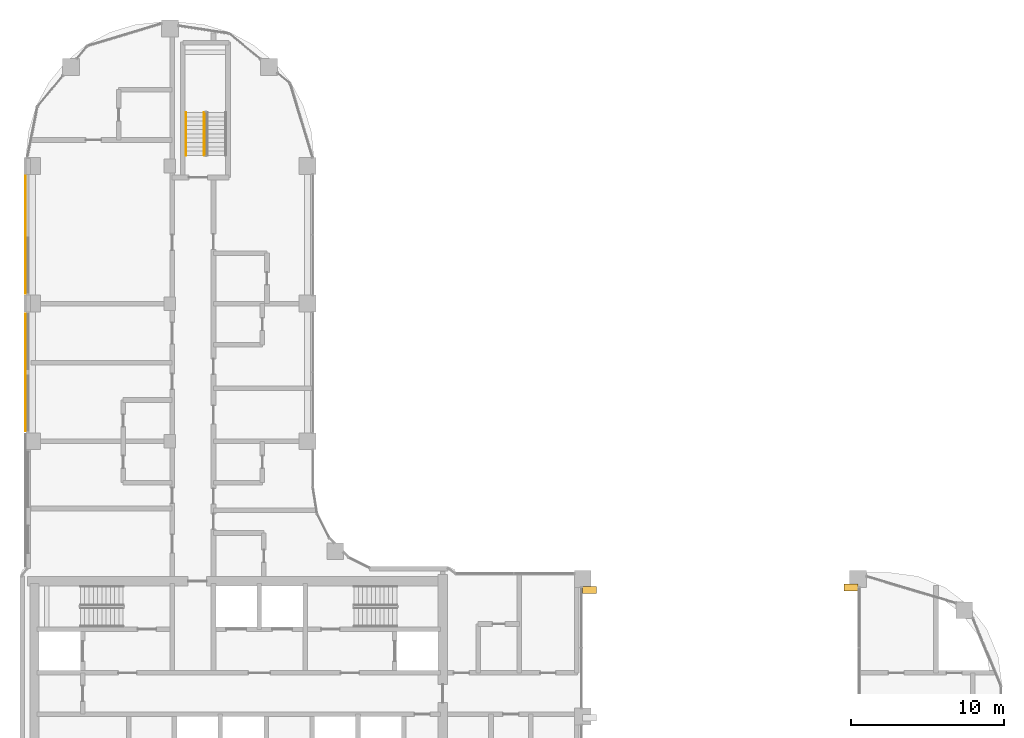
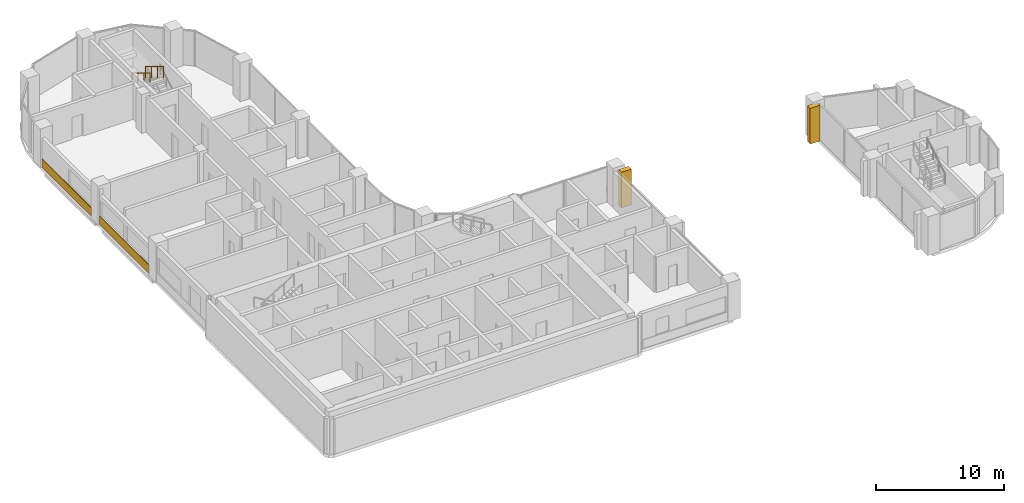
# One storey, part 20 of 21: 4 coverings, 2 railings.
"""IFC4 building model written with IfcOpenShell, lengths in metres."""

import ifcopenshell
import ifcopenshell.guid

model = None  # the IFC model being written
_history = None  # IfcOwnerHistory: only IFC2X3 demands one
_inside = {}  # id of a spatial element -> (the spatial element, [elements in it])
_under = {}  # id of a project, library or spatial element -> (it, [spatial elements below it])
_declared = {}  # id of a project -> (the project, [libraries it declares])
_typed = {}  # id of a type object -> (the type object, [elements of that type])
_made_of = {}  # id of a material, layer set ... -> (it, [elements and type objects made of it])


def new_model(schema):
    """Start an empty IFC model of exactly this schema.

    Asked for "IFC4X3", IfcOpenShell would pick the latest addendum, in which some entities
    have other attributes; the version numbers below select the first issue.
    IFC2X3 requires an IfcOwnerHistory on every rooted entity: one is made here for all.
    """
    global model, _history
    if schema == "IFC4X3":
        model = ifcopenshell.file(schema_version=(4, 3, 0, 0))
    else:
        model = ifcopenshell.file(schema=schema)
    _inside.clear()
    _under.clear()
    _declared.clear()
    _typed.clear()
    _made_of.clear()
    _history = None
    if model.schema == "IFC2X3":
        org = make("IfcOrganization", Name="unknown")
        user = make(
            "IfcPersonAndOrganization",
            ThePerson=make("IfcPerson", FamilyName="unknown"),
            TheOrganization=org,
        )
        app = make(
            "IfcApplication",
            ApplicationDeveloper=org,
            Version="unknown",
            ApplicationFullName="unknown",
            ApplicationIdentifier="unknown",
        )
        _history = make(
            "IfcOwnerHistory",
            OwningUser=user,
            OwningApplication=app,
            ChangeAction="ADDED",
            CreationDate=0,
        )
    return model


def make(cls, **values):
    """One entity of the class cls with the attributes given. An attribute that is None is left unset."""
    return model.create_entity(
        cls, **{name: value for name, value in values.items() if value is not None}
    )


def rooted(cls, **values):
    """An entity with a GlobalId (a new one), such as an element, a storey or a relation."""
    return make(cls, GlobalId=ifcopenshell.guid.new(), OwnerHistory=_history, **values)


def si_unit(unit_type, name, prefix=None):
    """IfcSIUnit, for example si_unit("LENGTHUNIT", "METRE", prefix="MILLI")."""
    return make("IfcSIUnit", UnitType=unit_type, Prefix=prefix, Name=name)


def assignment(units):
    """IfcUnitAssignment: the units of a project."""
    return None if units is None else make("IfcUnitAssignment", Units=units)


def point(xyz):
    """IfcCartesianPoint."""
    return None if xyz is None else make("IfcCartesianPoint", Coordinates=xyz)


def direction(xyz):
    """IfcDirection."""
    return None if xyz is None else make("IfcDirection", DirectionRatios=xyz)


def frame(location, z_axis=None, x_axis=None):
    """IfcAxis2Placement3D, a coordinate frame: its origin and axes. An axis left out is left unset."""
    return make(
        "IfcAxis2Placement3D",
        Location=point(location),
        Axis=direction(z_axis),
        RefDirection=direction(x_axis),
    )


def frame_2d(location, x_axis=None):
    """IfcAxis2Placement2D, a coordinate frame in the plane: its origin and x axis."""
    return make(
        "IfcAxis2Placement2D", Location=point(location), RefDirection=direction(x_axis)
    )


def origin():
    """The frame at (0, 0, 0) with its axes left unset."""
    return frame((0.0, 0.0, 0.0))


def origin_2d():
    """The frame at (0, 0) in the plane with its x axis left unset."""
    return frame_2d((0.0, 0.0))


def place(relative_to, where):
    """IfcLocalPlacement: puts the frame where relative to a parent placement (None: the world)."""
    return make(
        "IfcLocalPlacement", PlacementRelTo=relative_to, RelativePlacement=where
    )


def context(
    kind, dimensions, precision=None, world=None, true_north=None, identifier=None
):
    """IfcGeometricRepresentationContext, for example the 3D "Model" context."""
    return make(
        "IfcGeometricRepresentationContext",
        ContextIdentifier=identifier,
        ContextType=kind,
        CoordinateSpaceDimension=dimensions,
        Precision=precision,
        WorldCoordinateSystem=world,
        TrueNorth=true_north,
    )


def subcontext(parent, identifier, kind, view, scale=None):
    """IfcGeometricRepresentationSubContext, for example "Body" below "Model"."""
    return make(
        "IfcGeometricRepresentationSubContext",
        ContextIdentifier=identifier,
        ContextType=kind,
        ParentContext=parent,
        TargetScale=scale,
        TargetView=view,
    )


def project(units=None, contexts=None):
    """IfcProject with its units and contexts."""
    return rooted(
        "IfcProject",
        Name="project",
        RepresentationContexts=contexts,
        UnitsInContext=assignment(units),
    )


def spatial(cls, under=None, at=None, **own):
    """A site, building, storey or space (cls), placed at a placement, below another one or the project."""
    s = rooted(cls, ObjectPlacement=at, **own)
    if under is not None:
        _under.setdefault(under.id(), (under, []))[1].append(s)
    return s


def profile(cls, at=None, kind="AREA", **sizes):
    """A parametric profile (cls). Its sizes go by their IFC names, for example OverallWidth=200.0."""
    return make(cls, ProfileType=kind, Position=at, **sizes)


def rectangle(**sizes):
    """IfcRectangleProfileDef."""
    return profile("IfcRectangleProfileDef", **sizes)


def circle(**sizes):
    """IfcCircleProfileDef."""
    return profile("IfcCircleProfileDef", **sizes)


def extrude(swept, where, along, depth):
    """IfcExtrudedAreaSolid: the profile swept, set in the frame where, extruded along a direction by depth."""
    return make(
        "IfcExtrudedAreaSolid",
        SweptArea=swept,
        Position=where,
        ExtrudedDirection=direction(along),
        Depth=depth,
    )


def shape(context_of_items, identifier, shape_type, items):
    """IfcShapeRepresentation: the items that make up one representation, for example the "Body"."""
    return make(
        "IfcShapeRepresentation",
        ContextOfItems=context_of_items,
        RepresentationIdentifier=identifier,
        RepresentationType=shape_type,
        Items=items,
    )


def material(Name=None, Category=None):
    """IfcMaterial."""
    return make("IfcMaterial", Name=Name, Category=Category)


def layer(
    of_material, thickness, ventilated=None, Name=None, Category=None, Priority=None
):
    """IfcMaterialLayer: one layer of a wall or slab, of a material (None: an air gap)."""
    return make(
        "IfcMaterialLayer",
        Material=of_material,
        LayerThickness=thickness,
        IsVentilated=ventilated,
        Name=Name,
        Category=Category,
        Priority=Priority,
    )


def layer_set(layers, Name=None):
    """IfcMaterialLayerSet."""
    return make("IfcMaterialLayerSet", MaterialLayers=layers, LayerSetName=Name)


def made_of(thing, what):
    """Note that an element or type object is made of a material, layer set ...; save() writes the relation."""
    if what is not None:
        _made_of.setdefault(what.id(), (what, []))[1].append(thing)
    return thing


def type_object(cls, material=None, **own):
    """A type object (cls), such as IfcWallType, which elements share."""
    return made_of(rooted(cls, **own), material)


def element(
    cls,
    number,
    at=None,
    inside=None,
    cuts=None,
    type_object=None,
    material=None,
    context=None,
    identifier="Body",
    shape_type=None,
    held_by="IfcProductDefinitionShape",
    body=None,
    shapes=None,
    **own,
):
    """One element of the class cls, such as IfcWall. Its Tag is "e" and its number.

    at: its placement. inside: the storey or other place that contains it. cuts: it is an
    opening in that element (IfcRelVoidsElement). A single representation is given by context,
    identifier, shape_type and body (its items); several are given by shapes. held_by: the class
    of the entity that holds the representations. save() writes the other relations.
    """
    e = rooted(cls, Tag="e%d" % number, ObjectPlacement=at, **own)
    if body is not None:
        shapes = [shape(context, identifier, shape_type, body)]
    if shapes is not None:
        e.Representation = make(held_by, Representations=shapes)
    if inside is not None:
        _inside.setdefault(inside.id(), (inside, []))[1].append(e)
    if cuts is not None:
        rooted(
            "IfcRelVoidsElement", RelatingBuildingElement=cuts, RelatedOpeningElement=e
        )
    if type_object is not None:
        _typed.setdefault(type_object.id(), (type_object, []))[1].append(e)
    return made_of(e, material)


def aggregate(whole, parts):
    """IfcRelAggregates: a whole, such as a stair, and the parts it consists of."""
    return rooted("IfcRelAggregates", RelatingObject=whole, RelatedObjects=parts)


def save(model, path):
    """Write the relations noted so far, then the file.

    IfcRelAggregates (storeys below a building ...), IfcRelContainedInSpatialStructure (elements
    in a storey), IfcRelDefinesByType, IfcRelAssociatesMaterial and IfcRelDeclares: one each for
    every whole, place, type object, material and project.
    """
    for whole, parts in _under.values():
        aggregate(whole, parts)
    for where, things in _inside.values():
        rooted(
            "IfcRelContainedInSpatialStructure",
            RelatedElements=things,
            RelatingStructure=where,
        )
    for kind, things in _typed.values():
        rooted("IfcRelDefinesByType", RelatedObjects=things, RelatingType=kind)
    for what, things in _made_of.values():
        rooted("IfcRelAssociatesMaterial", RelatedObjects=things, RelatingMaterial=what)
    for by, libraries in _declared.values():
        rooted("IfcRelDeclares", RelatingContext=by, RelatedDefinitions=libraries)
    model.write(path)


model = new_model("IFC4")

# Units and contexts
model_context = context("Model", 3, precision=1e-05, world=origin(), true_north=direction((0.0, 1.0)))
body_context = subcontext(model_context, "Body", "Model", "MODEL_VIEW")
ifc_project = project(units=[si_unit("LENGTHUNIT", "METRE"), si_unit("AREAUNIT", "SQUARE_METRE"), si_unit("VOLUMEUNIT", "CUBIC_METRE"), si_unit("PLANEANGLEUNIT", "RADIAN"), si_unit("MASSUNIT", "GRAM", prefix="KILO")], contexts=[model_context])

# Site, building, storey
site_placement = place(None, origin())
site = spatial("IfcSite", under=ifc_project, at=site_placement, CompositionType="ELEMENT")
building_placement = place(site_placement, origin())
building = spatial("IfcBuilding", under=site, at=building_placement, Name="Ogive Portal Towers", CompositionType="ELEMENT")
storey_placement = place(building_placement, frame((0.0, 0.0, 157.0)))
storey = spatial("IfcBuildingStorey", under=building, at=storey_placement, Name="L38", CompositionType="ELEMENT", Elevation=157.0)

# Coverings
ifc_material_1 = material(Name="Limestone cladding on lightweight block wall", Category="masonry")
ifc_layer_1 = layer(ifc_material_1, 0.449951171875)
ifc_layer_set_1 = layer_set([ifc_layer_1], Name="BUTTRESS PIER STONE")
covering_type_1 = type_object("IfcCoveringType", Name="BUTTRESS PIER STONE", PredefinedType="CLADDING", material=ifc_layer_set_1)
for number, where, z_axis, x_axis, name in (
    (1, (67.949951171875, 38.764892578125, 0.0), (0.0, 0.0, 1.0), (1.0, 0.0, 0.0), "Buttress pier A1-F13.3"),
    (2, (85.050048828125, 38.925048828125, 0.0), (0.0, 0.0, 1.0), (1.0, 0.0, 0.0), "Buttress pier A2-F01.2"),
):
    element("IfcCovering", number, at=place(storey_placement, frame(where, z_axis=z_axis, x_axis=x_axis)), inside=storey, type_object=covering_type_1, Name=name, PredefinedType="CLADDING", context=body_context, shape_type="SweptSolid", body=[
        extrude(rectangle(XDim=0.89990234375, YDim=0.449951171875, at=origin_2d()), origin(), (0.0, 0.0, 1.0), 3.39990234375),
    ])

# Railings
ifc_material_2 = material(Name="Stainless steel balustrade", Category="steel")
railing_type_1 = type_object("IfcRailingType", Name="INT-GUARD", PredefinedType="GUARDRAIL", material=ifc_material_2)
railing_1_placement = place(storey_placement, frame((42.75, 70.0, 2.01806640625)))
element("IfcRailing", 3, at=railing_1_placement, inside=storey, type_object=railing_type_1, Name="L38 ST-A3 stair guard 3", PredefinedType="GUARDRAIL", context=body_context, shape_type="SweptSolid", body=[
    extrude(circle(Radius=0.02392578125, at=origin_2d()), frame((0.0, 0.0, 1.076171875), z_axis=(0.0, -0.857242210791, 0.514913383045), x_axis=(1.0, 0.0, 0.0)), (0.0, 0.0, 1.0), 3.266357421875),
    extrude(circle(Radius=0.02099609375, at=origin_2d()), origin(), (0.0, 0.0, 1.0), 1.052001953125),
    extrude(circle(Radius=0.02099609375, at=origin_2d()), frame((0.0, -0.933349609375, 0.560546875)), (0.0, 0.0, 1.0), 1.052001953125),
    extrude(circle(Radius=0.02099609375, at=origin_2d()), frame((0.0, -1.86669921875, 1.121337890625)), (0.0, 0.0, 1.0), 1.052001953125),
    extrude(circle(Radius=0.02099609375, at=origin_2d()), frame((0.0, -2.800048828125, 1.681884765625)), (0.0, 0.0, 1.0), 1.052001953125),
])
ifc_material_3 = material(Name="Stainless steel handrail", Category="steel")
railing_type_2 = type_object("IfcRailingType", Name="INT-HANDRAIL", PredefinedType="HANDRAIL", material=ifc_material_3)
railing_2_placement = place(storey_placement, frame((41.550048828125, 70.0, 2.01806640625)))
element("IfcRailing", 4, at=railing_2_placement, inside=storey, type_object=railing_type_2, Name="L38 ST-A3 stair handrail 2", PredefinedType="HANDRAIL", context=body_context, shape_type="SweptSolid", body=[
    extrude(circle(Radius=0.02392578125, at=origin_2d()), frame((0.0, 0.0, 0.8759765625), z_axis=(0.0, -0.857242210791, 0.514913383045), x_axis=(1.0, 0.0, 0.0)), (0.0, 0.0, 1.0), 3.266357421875),
    extrude(circle(Radius=0.02099609375, at=origin_2d()), origin(), (0.0, 0.0, 1.0), 0.851806640625),
    extrude(circle(Radius=0.02099609375, at=origin_2d()), frame((0.0, -0.933349609375, 0.560546875)), (0.0, 0.0, 1.0), 0.851806640625),
    extrude(circle(Radius=0.02099609375, at=origin_2d()), frame((0.0, -1.86669921875, 1.121337890625)), (0.0, 0.0, 1.0), 0.851806640625),
    extrude(circle(Radius=0.02099609375, at=origin_2d()), frame((0.0, -2.800048828125, 1.681884765625)), (0.0, 0.0, 1.0), 0.851806640625),
])

# Coverings
ifc_layer_2 = layer(ifc_material_1, 0.050048828125)
ifc_layer_set_2 = layer_set([ifc_layer_2], Name="SCREEN PERFORATED STONE")
covering_type_2 = type_object("IfcCoveringType", Name="SCREEN PERFORATED STONE", PredefinedType="CLADDING", material=ifc_layer_set_2)
for number, where, z_axis, x_axis, name in (
    (5, (31.050048828125, 62.0, 0.10009765625), (0.0, 0.0, 1.0), (0.0, -1.0, 0.0), "Tracery screen"),
    (6, (31.050048828125, 53.0, 0.10009765625), (0.0, 0.0, 1.0), (0.0, -1.0, 0.0), "Tracery screen"),
):
    element("IfcCovering", number, at=place(storey_placement, frame(where, z_axis=z_axis, x_axis=x_axis)), inside=storey, type_object=covering_type_2, Name=name, PredefinedType="CLADDING", context=body_context, shape_type="SweptSolid", body=[
        extrude(rectangle(XDim=7.699951171875, YDim=0.050048828125, at=origin_2d()), origin(), (0.0, 0.0, 1.0), 0.800048828125),
    ])

save(model, "model.ifc")
